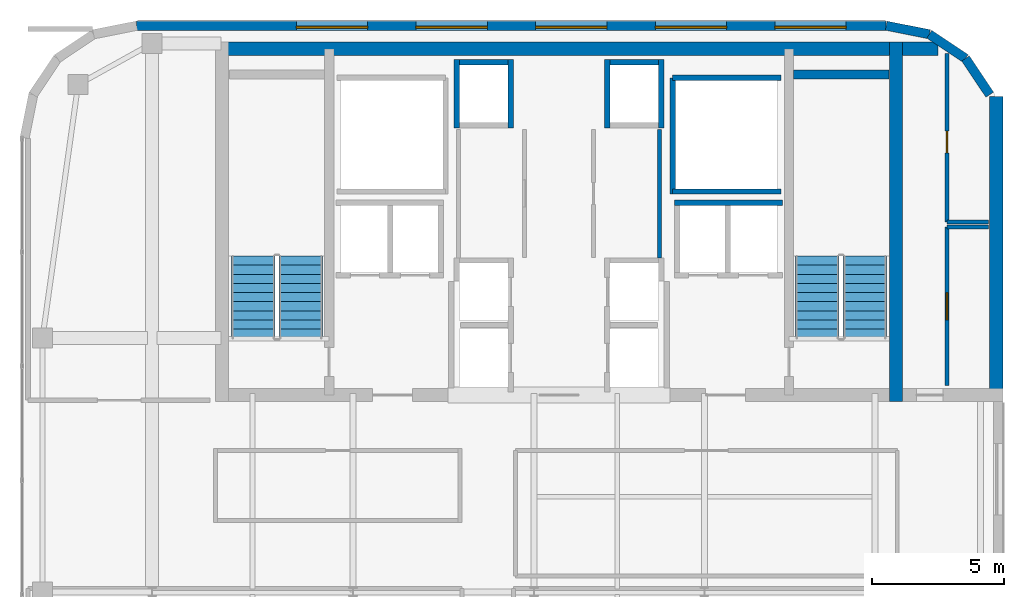
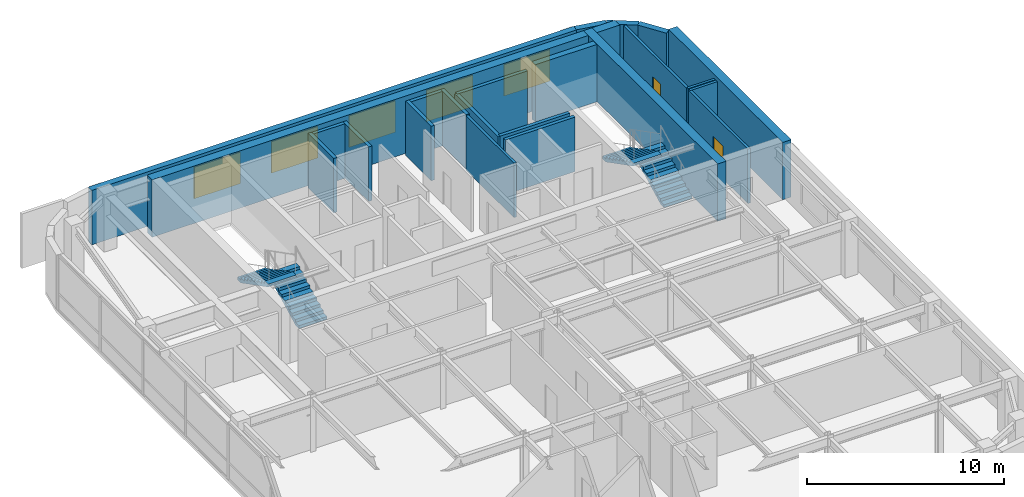
# One storey, part 17 of 21: 24 walls, 5 windows, 4 stair flights, 2 doors, 7 openings, 2 elements without a shape of their own.
"""IFC4 building model written with IfcOpenShell, lengths in metres."""

from ifc_helpers import new_model, si_unit, direction, frame, frame_2d, origin, place, context, subcontext, project, spatial, polyline, rectangle, outline, extrude, source, transform, mapped, material, layer, layer_set, type_object, type_shapes, element, fill, aggregate, save


model = new_model("IFC4")

# Units and contexts
model_context = context("Model", 3, precision=1e-05, world=origin(), true_north=direction((0.0, 1.0)))
body_context = subcontext(model_context, "Body", "Model", "MODEL_VIEW")
ifc_project = project(units=[si_unit("LENGTHUNIT", "METRE"), si_unit("AREAUNIT", "SQUARE_METRE"), si_unit("VOLUMEUNIT", "CUBIC_METRE"), si_unit("PLANEANGLEUNIT", "RADIAN"), si_unit("MASSUNIT", "GRAM", prefix="KILO")], contexts=[model_context])

# Site, building, storey
site_placement = place(None, origin())
site = spatial("IfcSite", under=ifc_project, at=site_placement, CompositionType="ELEMENT")
building_placement = place(site_placement, origin())
building = spatial("IfcBuilding", under=site, at=building_placement, Name="Tolvann Quenvar Hotel", CompositionType="ELEMENT")
storey_placement = place(building_placement, frame((0.0, 0.0, 227.449951171875)))
storey = spatial("IfcBuildingStorey", under=building, at=storey_placement, Name="L60", CompositionType="ELEMENT", Elevation=227.449951171875)

# Walls
ifc_material_1 = material(Name="Concrete N50 (50 MPa)", Category="concrete")
ifc_layer_1 = layer(ifc_material_1, 0.5)
ifc_layer_set_1 = layer_set([ifc_layer_1], Name="Concrete N50 (50 MPa)")
wall_type_1 = type_object("IfcWallType", Name="WALL_CORE_500", PredefinedType="SHEAR", material=ifc_layer_set_1)
wall_1_placement = place(storey_placement, frame((10.0, 44.949951171875, 0.0), z_axis=(0.0, 0.0, 1.0), x_axis=(1.0, 0.0, 0.0)))
element("IfcWall", 1, at=wall_1_placement, inside=storey, type_object=wall_type_1, Name="Rear Core N Shear Wall (L60)", PredefinedType="SHEAR", context=body_context, shape_type="SweptSolid", body=[
    extrude(rectangle(XDim=26.0, YDim=0.5, at=frame_2d((13.0, 0.0))), origin(), (0.0, 0.0, 1.0), 3.550048828125),
])
wall_2_placement = place(storey_placement, frame((35.75, 31.60009765625, 0.0), z_axis=(0.0, 0.0, 1.0), x_axis=(0.0, 1.0, 0.0)))
element("IfcWall", 2, at=wall_2_placement, inside=storey, type_object=wall_type_1, Name="Rear Core E Shear Wall (L60)", PredefinedType="SHEAR", context=body_context, shape_type="SweptSolid", body=[
    extrude(rectangle(XDim=13.599853515625, YDim=0.5, at=frame_2d((6.7998046875, 0.0))), origin(), (0.0, 0.0, 1.0), 3.550048828125),
])
wall_3_placement = place(storey_placement, frame((36.0, 44.949951171875, 0.0), z_axis=(0.0, 0.0, 1.0), x_axis=(1.0, 0.0, 0.0)))
element("IfcWall", 3, at=wall_3_placement, inside=storey, type_object=wall_type_1, Name="Core East Annex Shear Wall ANN-N (L60)", PredefinedType="SHEAR", context=body_context, shape_type="SweptSolid", body=[
    extrude(rectangle(XDim=1.35009765625, YDim=0.5, at=frame_2d((0.675048828125, 0.0))), origin(), (0.0, 0.0, 1.0), 3.550048828125),
])
wall_4_placement = place(storey_placement, frame((39.550048828125, 31.60009765625, 0.0), z_axis=(0.0, 0.0, 1.0), x_axis=(0.0, 1.0, 0.0)))
element("IfcWall", 4, at=wall_4_placement, inside=storey, type_object=wall_type_1, Name="Core East Annex Shear Wall ANN-E (L60)", PredefinedType="SHEAR", context=body_context, shape_type="SweptSolid", body=[
    extrude(rectangle(XDim=11.5498046875, YDim=0.5, at=frame_2d((5.77490234375, 0.0))), origin(), (0.0, 0.0, 1.0), 3.550048828125),
])
ifc_material_2 = material(Name="Concrete S65 (65 MPa)", Category="concrete")
ifc_layer_2 = layer(ifc_material_2, 0.35009765625)
ifc_layer_set_2 = layer_set([ifc_layer_2], Name="Concrete S65 (65 MPa)")
wall_type_2 = type_object("IfcWallType", Name="WALL_CORE_INT_350", PredefinedType="SHEAR", material=ifc_layer_set_2)
wall_5_placement = place(storey_placement, frame((31.8798828125, 43.97509765625, 0.0), z_axis=(0.0, 0.0, 1.0), x_axis=(1.0, 0.0, 0.0)))
element("IfcWall", 5, at=wall_5_placement, inside=storey, type_object=wall_type_2, Name="Core Stair North Closing Shear Wall STC2-N (L60)", PredefinedType="SHEAR", context=body_context, shape_type="SweptSolid", body=[
    extrude(rectangle(XDim=3.60009765625, YDim=0.35009765625, at=frame_2d((1.800048828125, 0.0))), origin(), (0.0, 0.0, 1.0), 3.550048828125),
])
ifc_material_3 = material(Name="Kiln-fired red and buff architectural clay brickwork and terracotta masonry", Category="masonry")
ifc_layer_3 = layer(ifc_material_3, 0.35009765625)
ifc_layer_set_3 = layer_set([ifc_layer_3], Name="Kiln-fired red and buff architectural clay brickwork and terracotta masonry")
wall_type_3 = type_object("IfcWallType", Name="WALL_EXT_BRICK_350", PredefinedType="SOLIDWALL", material=ifc_layer_set_3)
for number, where, z_axis, x_axis, name in (
    (6, (39.30029296875, 43.215576171875, 0.0), (0.0, 0.0, 1.0), (-0.555623290322, 0.831434158098, 0.0), "Exterior Chicago Brick Wall L60-E11"),
    (7, (38.385009765625, 44.585205078125, 0.0), (0.0, 0.0, 1.0), (-0.831502623162, 0.555520825599, 0.0), "Exterior Chicago Brick Wall L60-E12"),
):
    element("IfcWall", number, at=place(storey_placement, frame(where, z_axis=z_axis, x_axis=x_axis)), inside=storey, type_object=wall_type_3, Name=name, PredefinedType="SOLIDWALL", context=body_context, shape_type="SweptSolid", body=[
        extrude(rectangle(XDim=1.647216796875, YDim=0.35009765625, at=frame_2d((0.82373046875, 0.0))), origin(), (0.0, 0.0, 1.0), 3.3701171875),
    ])
wall_6_placement = place(storey_placement, frame((37.015380859375, 45.500244140625, 0.0), z_axis=(0.0, 0.0, 1.0), x_axis=(-0.980788844421, 0.195072403631, 0.0)))
element("IfcWall", 8, at=wall_6_placement, inside=storey, type_object=wall_type_3, Name="Exterior Chicago Brick Wall L60-E13", PredefinedType="SOLIDWALL", context=body_context, shape_type="SweptSolid", body=[
    extrude(rectangle(XDim=1.66455078125, YDim=0.35009765625, at=frame_2d((0.832275390625, 0.0))), origin(), (0.0, 0.0, 1.0), 3.3701171875),
])

# Wall, openings, windows
wall_7_placement = place(storey_placement, frame((35.3828125, 45.824951171875, 0.0), z_axis=(0.0, 0.0, 1.0), x_axis=(-1.0, 0.0, 0.0)))
wall_7 = element("IfcWall", 9, at=wall_7_placement, inside=storey, type_object=wall_type_3, Name="Exterior Chicago Brick Wall L60-E14", PredefinedType="SOLIDWALL", context=body_context, shape_type="SweptSolid", body=[
    extrude(rectangle(XDim=28.36572265625, YDim=0.35009765625, at=frame_2d((14.182861328125, 0.0))), origin(), (0.0, 0.0, 1.0), 3.3701171875),
])
opening_1_placement = place(wall_7_placement, frame((1.513916015625, 0.0, 0.679931640625)))
opening_1 = element("IfcOpeningElement", 10, at=opening_1_placement, cuts=wall_7, Name="Opening W-04", PredefinedType="OPENING", context=body_context, shape_type="SweptSolid", body=[
    extrude(rectangle(XDim=2.699951171875, YDim=1.949951171875, at=frame_2d((1.35009765625, 0.97509765625))), frame((0.0, 0.18505859375, 0.0), z_axis=(0.0, -1.0, 0.0), x_axis=(1.0, 0.0, 0.0)), (0.0, 0.0, 1.0), 0.3701171875),
])
opening_2_placement = place(wall_7_placement, frame((6.041015625, 0.0, 0.679931640625)))
opening_2 = element("IfcOpeningElement", 11, at=opening_2_placement, cuts=wall_7, Name="Opening W-04", PredefinedType="OPENING", context=body_context, shape_type="SweptSolid", body=[
    extrude(rectangle(XDim=2.699951171875, YDim=1.949951171875, at=frame_2d((1.35009765625, 0.97509765625))), frame((0.0, 0.18505859375, 0.0), z_axis=(0.0, -1.0, 0.0), x_axis=(1.0, 0.0, 0.0)), (0.0, 0.0, 1.0), 0.3701171875),
])
opening_3_placement = place(wall_7_placement, frame((10.569091796875, 0.0, 0.679931640625)))
opening_3 = element("IfcOpeningElement", 12, at=opening_3_placement, cuts=wall_7, Name="Opening W-04", PredefinedType="OPENING", context=body_context, shape_type="SweptSolid", body=[
    extrude(rectangle(XDim=2.699951171875, YDim=1.949951171875, at=frame_2d((1.35009765625, 0.97509765625))), frame((0.0, 0.18505859375, 0.0), z_axis=(0.0, -1.0, 0.0), x_axis=(1.0, 0.0, 0.0)), (0.0, 0.0, 1.0), 0.3701171875),
])
opening_4_placement = place(wall_7_placement, frame((15.096923828125, 0.0, 0.679931640625)))
opening_4 = element("IfcOpeningElement", 13, at=opening_4_placement, cuts=wall_7, Name="Opening W-04", PredefinedType="OPENING", context=body_context, shape_type="SweptSolid", body=[
    extrude(rectangle(XDim=2.699951171875, YDim=1.949951171875, at=frame_2d((1.35009765625, 0.97509765625))), frame((0.0, 0.18505859375, 0.0), z_axis=(0.0, -1.0, 0.0), x_axis=(1.0, 0.0, 0.0)), (0.0, 0.0, 1.0), 0.3701171875),
])
opening_5_placement = place(wall_7_placement, frame((19.6240234375, 0.0, 0.679931640625)))
opening_5 = element("IfcOpeningElement", 14, at=opening_5_placement, cuts=wall_7, Name="Opening W-04", PredefinedType="OPENING", context=body_context, shape_type="SweptSolid", body=[
    extrude(rectangle(XDim=2.699951171875, YDim=1.949951171875, at=frame_2d((1.35009765625, 0.97509765625))), frame((0.0, 0.18505859375, 0.0), z_axis=(0.0, -1.0, 0.0), x_axis=(1.0, 0.0, 0.0)), (0.0, 0.0, 1.0), 0.3701171875),
])
ifc_material_4 = material(Name="Thermally broken bronze-anodised aluminium frame with double low-E glazing", Category="aluminium")
window_type = type_object("IfcWindowType", Name="WIN_STE_2700x2150", PartitioningType="TRIPLE_PANEL_HORIZONTAL", PredefinedType="WINDOW", material=ifc_material_4)
shared_shape_1 = source(origin(), body_context, "Body", "SweptSolid", [
    extrude(rectangle(XDim=2.699951171875, YDim=1.949951171875, at=frame_2d((1.35009765625, 0.97509765625))), frame((0.0, 0.090087890625, 0.0), z_axis=(0.0, -1.0, 0.0), x_axis=(1.0, 0.0, 0.0)), (0.0, 0.0, 1.0), 0.06005859375),
])
type_shapes(window_type, [shared_shape_1])
window_1_placement = place(opening_1_placement, origin())
window_1 = element("IfcWindow", 15, at=window_1_placement, inside=storey, type_object=window_type, Name="Chicago Window W-04 (EW-L60-E14-W01)", OverallHeight=1.949951171875, OverallWidth=2.699951171875, PartitioningType="TRIPLE_PANEL_HORIZONTAL", PredefinedType="WINDOW", context=body_context, shape_type="MappedRepresentation", body=[
    mapped(shared_shape_1, transform((0.0, 0.0, 0.0), x_axis=(1.0, 0.0, 0.0), y_axis=(0.0, 1.0, 0.0), z_axis=(0.0, 0.0, 1.0), scale=1.0)),
])
fill(opening_1, window_1)
window_2_placement = place(opening_2_placement, origin())
window_2 = element("IfcWindow", 16, at=window_2_placement, inside=storey, type_object=window_type, Name="Chicago Window W-04 (EW-L60-E14-W02)", OverallHeight=1.949951171875, OverallWidth=2.699951171875, PartitioningType="TRIPLE_PANEL_HORIZONTAL", PredefinedType="WINDOW", context=body_context, shape_type="MappedRepresentation", body=[
    mapped(shared_shape_1, transform((0.0, 0.0, 0.0), x_axis=(1.0, 0.0, 0.0), y_axis=(0.0, 1.0, 0.0), z_axis=(0.0, 0.0, 1.0), scale=1.0)),
])
fill(opening_2, window_2)
window_3_placement = place(opening_3_placement, origin())
window_3 = element("IfcWindow", 17, at=window_3_placement, inside=storey, type_object=window_type, Name="Chicago Window W-04 (EW-L60-E14-W03)", OverallHeight=1.949951171875, OverallWidth=2.699951171875, PartitioningType="TRIPLE_PANEL_HORIZONTAL", PredefinedType="WINDOW", context=body_context, shape_type="MappedRepresentation", body=[
    mapped(shared_shape_1, transform((0.0, 0.0, 0.0), x_axis=(1.0, 0.0, 0.0), y_axis=(0.0, 1.0, 0.0), z_axis=(0.0, 0.0, 1.0), scale=1.0)),
])
fill(opening_3, window_3)
window_4_placement = place(opening_4_placement, origin())
window_4 = element("IfcWindow", 18, at=window_4_placement, inside=storey, type_object=window_type, Name="Chicago Window W-04 (EW-L60-E14-W04)", OverallHeight=1.949951171875, OverallWidth=2.699951171875, PartitioningType="TRIPLE_PANEL_HORIZONTAL", PredefinedType="WINDOW", context=body_context, shape_type="MappedRepresentation", body=[
    mapped(shared_shape_1, transform((0.0, 0.0, 0.0), x_axis=(1.0, 0.0, 0.0), y_axis=(0.0, 1.0, 0.0), z_axis=(0.0, 0.0, 1.0), scale=1.0)),
])
fill(opening_4, window_4)
window_5_placement = place(opening_5_placement, origin())
window_5 = element("IfcWindow", 19, at=window_5_placement, inside=storey, type_object=window_type, Name="Chicago Window W-04 (EW-L60-E14-W05)", OverallHeight=1.949951171875, OverallWidth=2.699951171875, PartitioningType="TRIPLE_PANEL_HORIZONTAL", PredefinedType="WINDOW", context=body_context, shape_type="MappedRepresentation", body=[
    mapped(shared_shape_1, transform((0.0, 0.0, 0.0), x_axis=(1.0, 0.0, 0.0), y_axis=(0.0, 1.0, 0.0), z_axis=(0.0, 0.0, 1.0), scale=1.0)),
])
fill(opening_5, window_5)

# Walls
ifc_material_5 = material(Name="Acoustic twin-stud fire-rated gypsum plasterboard partition")
ifc_layer_4 = layer(ifc_material_5, 0.14990234375)
ifc_layer_set_4 = layer_set([ifc_layer_4], Name="Acoustic twin-stud fire-rated gypsum plasterboard partition")
wall_type_4 = type_object("IfcWallType", Name="WALL_PART_SUITE_150", PredefinedType="PARTITIONING", material=ifc_layer_set_4)
wall_8_placement = place(storey_placement, frame((26.800048828125, 37.0400390625, 0.0), z_axis=(0.0, 0.0, 1.0), x_axis=(0.0, 1.0, 0.0)))
element("IfcWall", 20, at=wall_8_placement, inside=storey, type_object=wall_type_4, Name="Interior Partition PT-SPC-L60-RECPM-2-E", PredefinedType="PARTITIONING", context=body_context, shape_type="SweptSolid", body=[
    extrude(rectangle(XDim=4.85986328125, YDim=0.14990234375, at=frame_2d((2.429931640625, 0.0))), origin(), (0.0, 0.0, 1.0), 3.3701171875),
])
wall_9_placement = place(storey_placement, frame((37.679931640625, 38.199951171875, 0.0), z_axis=(0.0, 0.0, 1.0), x_axis=(1.0, 0.0, 0.0)))
element("IfcWall", 21, at=wall_9_placement, inside=storey, type_object=wall_type_4, Name="Interior Partition PT-SPC-L60-RECPL-1-N", PredefinedType="PARTITIONING", context=body_context, shape_type="SweptSolid", body=[
    extrude(rectangle(XDim=1.565185546875, YDim=0.14990234375, at=frame_2d((0.78271484375, 0.0))), origin(), (0.0, 0.0, 1.0), 3.3701171875),
])

# Wall, opening, door
wall_10_placement = place(storey_placement, frame((37.679931640625, 32.199951171875, 0.0), z_axis=(0.0, 0.0, 1.0), x_axis=(0.0, 1.0, 0.0)))
wall_10 = element("IfcWall", 22, at=wall_10_placement, inside=storey, type_object=wall_type_4, Name="Interior Partition PT-SPC-L60-RECPL-1-W", PredefinedType="PARTITIONING", context=body_context, shape_type="SweptSolid", body=[
    extrude(rectangle(XDim=6.0, YDim=0.14990234375, at=frame_2d((3.0, 0.0))), origin(), (0.0, 0.0, 1.0), 3.3701171875),
])
opening_6_placement = place(wall_10_placement, frame((2.489990234375, 0.0, 0.0)))
opening_6 = element("IfcOpeningElement", 23, at=opening_6_placement, cuts=wall_10, Name="Opening HD-01", PredefinedType="OPENING", context=body_context, shape_type="SweptSolid", body=[
    extrude(rectangle(XDim=1.02001953125, YDim=2.030029296875, at=frame_2d((0.510009765625, 1.01513671875))), frame((0.0, 0.0849609375, 0.0), z_axis=(0.0, -1.0, 0.0), x_axis=(1.0, 0.0, 0.0)), (0.0, 0.0, 1.0), 0.169921875),
])
ifc_material_6 = material(Name="Pressed galvanised steel fire-rated door set", Category="steel")
door_type_1 = type_object("IfcDoorType", Name="DOOR_BOH_1020", OperationType="NOTDEFINED", PredefinedType="DOOR", material=ifc_material_6)
shared_shape_2 = source(origin(), body_context, "Body", "SweptSolid", [
    extrude(rectangle(XDim=1.02001953125, YDim=2.030029296875, at=frame_2d((0.510009765625, 1.01513671875))), frame((0.0, 0.02490234375, 0.0), z_axis=(0.0, -1.0, 0.0), x_axis=(1.0, 0.0, 0.0)), (0.0, 0.0, 1.0), 0.050048828125),
])
type_shapes(door_type_1, [shared_shape_2])
door_1_placement = place(opening_6_placement, origin())
door_1 = element("IfcDoor", 24, at=door_1_placement, inside=storey, type_object=door_type_1, Name="Interior Door DOOR-SPC-L60-RECPL-1", OperationType="SINGLE_SWING_RIGHT", OverallHeight=2.030029296875, OverallWidth=1.02001953125, PredefinedType="DOOR", context=body_context, shape_type="MappedRepresentation", body=[
    mapped(shared_shape_2, transform((0.0, 0.0, 0.0), x_axis=(1.0, 0.0, 0.0), y_axis=(0.0, 1.0, 0.0), z_axis=(0.0, 0.0, 1.0), scale=1.0)),
])
fill(opening_6, door_1)

# Wall
wall_11_placement = place(storey_placement, frame((37.679931640625, 38.39990234375, 0.0), z_axis=(0.0, 0.0, 1.0), x_axis=(1.0, 0.0, 0.0)))
element("IfcWall", 25, at=wall_11_placement, inside=storey, type_object=wall_type_4, Name="Interior Partition PT-SPC-L60-CSE-1-S", PredefinedType="PARTITIONING", context=body_context, shape_type="SweptSolid", body=[
    extrude(rectangle(XDim=1.565185546875, YDim=0.14990234375, at=frame_2d((0.78271484375, 0.0))), origin(), (0.0, 0.0, 1.0), 3.3701171875),
])

# Wall, opening, door
wall_12_placement = place(storey_placement, frame((37.679931640625, 38.39990234375, 0.0), z_axis=(0.0, 0.0, 1.0), x_axis=(0.0, 1.0, 0.0)))
wall_12 = element("IfcWall", 26, at=wall_12_placement, inside=storey, type_object=wall_type_4, Name="Interior Partition PT-SPC-L60-CSE-1-W", PredefinedType="PARTITIONING", context=body_context, shape_type="SweptSolid", body=[
    extrude(rectangle(XDim=6.380126953125, YDim=0.14990234375, at=frame_2d((3.18994140625, 0.0))), origin(), (0.0, 0.0, 1.0), 3.3701171875),
])
opening_7_placement = place(wall_12_placement, frame((2.614990234375, 0.0, 0.0)))
opening_7 = element("IfcOpeningElement", 27, at=opening_7_placement, cuts=wall_12, Name="Opening HD-02", PredefinedType="OPENING", context=body_context, shape_type="SweptSolid", body=[
    extrude(rectangle(XDim=0.820068359375, YDim=2.010009765625, at=frame_2d((0.41015625, 1.0048828125))), frame((0.0, 0.0849609375, 0.0), z_axis=(0.0, -1.0, 0.0), x_axis=(1.0, 0.0, 0.0)), (0.0, 0.0, 1.0), 0.169921875),
])
door_type_2 = type_object("IfcDoorType", Name="DOOR_STORE_820", OperationType="NOTDEFINED", PredefinedType="DOOR", material=ifc_material_6)
shared_shape_3 = source(origin(), body_context, "Body", "SweptSolid", [
    extrude(rectangle(XDim=0.820068359375, YDim=2.010009765625, at=frame_2d((0.41015625, 1.0048828125))), frame((0.0, 0.02490234375, 0.0), z_axis=(0.0, -1.0, 0.0), x_axis=(1.0, 0.0, 0.0)), (0.0, 0.0, 1.0), 0.050048828125),
])
type_shapes(door_type_2, [shared_shape_3])
door_2_placement = place(opening_7_placement, origin())
door_2 = element("IfcDoor", 28, at=door_2_placement, inside=storey, type_object=door_type_2, Name="Interior Door DOOR-SPC-L60-CSE-1", OperationType="SINGLE_SWING_LEFT", OverallHeight=2.010009765625, OverallWidth=0.820068359375, PredefinedType="DOOR", context=body_context, shape_type="MappedRepresentation", body=[
    mapped(shared_shape_3, transform((0.0, 0.0, 0.0), x_axis=(1.0, 0.0, 0.0), y_axis=(0.0, 1.0, 0.0), z_axis=(0.0, 0.0, 1.0), scale=1.0)),
])
fill(opening_7, door_2)

# Walls
ifc_material_7 = material(Name="Concrete N40 (40 MPa)", Category="concrete")
ifc_layer_5 = layer(ifc_material_7, 0.199951171875)
ifc_layer_set_5 = layer_set([ifc_layer_5], Name="Concrete N40 (40 MPa)")
wall_type_5 = type_object("IfcWallType", Name="WALL_SHAFT_200", PredefinedType="SOLIDWALL", material=ifc_layer_set_5)
wall_13_placement = place(storey_placement, frame((27.300048828125, 39.449951171875, 0.0), z_axis=(0.0, 0.0, 1.0), x_axis=(0.0, 1.0, 0.0)))
element("IfcWall", 29, at=wall_13_placement, inside=storey, type_object=wall_type_5, Name="Service Riser E Shaft Wall IN (L60)", PredefinedType="SOLIDWALL", context=body_context, shape_type="SweptSolid", body=[
    extrude(rectangle(XDim=4.400146484375, YDim=0.199951171875, at=frame_2d((2.2001953125, 0.0))), origin(), (0.0, 0.0, 1.0), 3.3701171875),
])
for number, where, z_axis, x_axis, name in (
    (30, (27.300048828125, 39.550048828125, 0.0), (0.0, 0.0, 1.0), (1.0, 0.0, 0.0), "Service Riser E Shaft Wall S (L60)"),
    (31, (27.300048828125, 43.85009765625, 0.0), (0.0, 0.0, 1.0), (1.0, 0.0, 0.0), "Service Riser E Shaft Wall N (L60)"),
):
    element("IfcWall", number, at=place(storey_placement, frame(where, z_axis=z_axis, x_axis=x_axis)), inside=storey, type_object=wall_type_5, Name=name, PredefinedType="SOLIDWALL", context=body_context, shape_type="SweptSolid", body=[
        extrude(rectangle(XDim=4.099853515625, YDim=0.199951171875, at=frame_2d((2.0498046875, 0.0))), origin(), (0.0, 0.0, 1.0), 3.3701171875),
    ])
for number, where, z_axis, x_axis, name in (
    (32, (21.169921875, 41.9599609375, 0.0), (0.0, 0.0, 1.0), (0.0, 1.0, 0.0), "Lift Bank E21.1C2 Hoistway Front Wall (L60)"),
    (33, (19.1298828125, 41.9599609375, 0.0), (0.0, 0.0, 1.0), (0.0, 1.0, 0.0), "Lift Bank E21.1C2 Hoistway Rear Wall (L60)"),
):
    element("IfcWall", number, at=place(storey_placement, frame(where, z_axis=z_axis, x_axis=x_axis)), inside=storey, type_object=wall_type_5, Name=name, PredefinedType="SOLIDWALL", context=body_context, shape_type="SweptSolid", body=[
        extrude(rectangle(XDim=2.580078125, YDim=0.199951171875, at=frame_2d((1.2900390625, 0.0))), origin(), (0.0, 0.0, 1.0), 3.3701171875),
    ])
wall_14_placement = place(storey_placement, frame((19.22998046875, 44.43994140625, 0.0), z_axis=(0.0, 0.0, 1.0), x_axis=(1.0, 0.0, 0.0)))
element("IfcWall", 34, at=wall_14_placement, inside=storey, type_object=wall_type_5, Name="Lift Bank E21.1C2 Hoistway Cheek Wall 2 (L60)", PredefinedType="SOLIDWALL", context=body_context, shape_type="SweptSolid", body=[
    extrude(rectangle(XDim=1.840087890625, YDim=0.199951171875, at=frame_2d((0.919921875, 0.0))), origin(), (0.0, 0.0, 1.0), 3.3701171875),
])
wall_15_placement = place(storey_placement, frame((27.375, 39.1201171875, 0.0), z_axis=(0.0, 0.0, 1.0), x_axis=(1.0, 0.0, 0.0)))
element("IfcWall", 35, at=wall_15_placement, inside=storey, type_object=wall_type_5, Name="Lift Bank SEC1 Hoistway Rear Wall (L60)", PredefinedType="SOLIDWALL", context=body_context, shape_type="SweptSolid", body=[
    extrude(rectangle(XDim=4.074951171875, YDim=0.199951171875, at=frame_2d((2.03759765625, 0.0))), origin(), (0.0, 0.0, 1.0), 3.3701171875),
])
for number, where, z_axis, x_axis, name in (
    (36, (24.830078125, 41.9599609375, 0.0), (0.0, 0.0, 1.0), (0.0, 1.0, 0.0), "Lift Bank W24.9C2 Hoistway Front Wall (L60)"),
    (37, (26.8701171875, 41.9599609375, 0.0), (0.0, 0.0, 1.0), (0.0, 1.0, 0.0), "Lift Bank W24.9C2 Hoistway Rear Wall (L60)"),
):
    element("IfcWall", number, at=place(storey_placement, frame(where, z_axis=z_axis, x_axis=x_axis)), inside=storey, type_object=wall_type_5, Name=name, PredefinedType="SOLIDWALL", context=body_context, shape_type="SweptSolid", body=[
        extrude(rectangle(XDim=2.580078125, YDim=0.199951171875, at=frame_2d((1.2900390625, 0.0))), origin(), (0.0, 0.0, 1.0), 3.3701171875),
    ])
wall_16_placement = place(storey_placement, frame((24.929931640625, 44.43994140625, 0.0), z_axis=(0.0, 0.0, 1.0), x_axis=(1.0, 0.0, 0.0)))
element("IfcWall", 38, at=wall_16_placement, inside=storey, type_object=wall_type_5, Name="Lift Bank W24.9C2 Hoistway Cheek Wall 2 (L60)", PredefinedType="SOLIDWALL", context=body_context, shape_type="SweptSolid", body=[
    extrude(rectangle(XDim=1.840087890625, YDim=0.199951171875, at=frame_2d((0.919921875, 0.0))), origin(), (0.0, 0.0, 1.0), 3.3701171875),
])

# Stair, stair flights
stair_type = type_object("IfcStairType", Name="STAIR", PredefinedType="HALF_TURN_STAIR", material=ifc_material_7)
stair_1_placement = place(storey_placement, origin())
stair_1 = element("IfcStair", 39, at=stair_1_placement, inside=storey, type_object=stair_type, Name="L60 ST-C1", PredefinedType="HALF_TURN_STAIR")
stair_flight_type = type_object("IfcStairFlightType", Name="STAIR_FLIGHT", PredefinedType="STRAIGHT", material=ifc_material_7)
stair_flight_1_placement = place(storey_placement, frame((13.22509765625, 34.0, 0.0), z_axis=(0.0, 0.0, 1.0), x_axis=(0.0, 1.0, 0.0)))
stair_flight_1 = element("IfcStairFlight", 40, at=stair_flight_1_placement, type_object=stair_flight_type, Name="ST-C1 flight 1", NumberOfRisers=10, NumberOfTreads=9, PredefinedType="STRAIGHT", RiserHeight=0.1775, TreadLength=0.345, context=body_context, shape_type="SweptSolid", body=[
    extrude(outline(polyline([(0.0, 0.0), (0.0, 0.177490234375), (0.344970703125, 0.177490234375), (0.344970703125, 0.35498046875), (0.68994140625, 0.35498046875), (0.68994140625, 0.532470703125), (1.034912109375, 0.532470703125), (1.034912109375, 0.7099609375), (1.3798828125, 0.7099609375), (1.3798828125, 0.887451171875), (1.72509765625, 0.887451171875), (1.72509765625, 1.06494140625), (2.070068359375, 1.06494140625), (2.070068359375, 1.242431640625), (2.4150390625, 1.242431640625), (2.4150390625, 1.419921875), (2.760009765625, 1.419921875), (2.760009765625, 1.597412109375), (3.10498046875, 1.597412109375), (3.10498046875, 1.77490234375), (3.10498046875, 1.428955078125), (0.32763671875, 0.0), (0.0, 0.0)])), frame((0.0, 0.824951171875, 0.0), z_axis=(0.0, -1.0, 0.0), x_axis=(1.0, 0.0, 0.0)), (0.0, 0.0, 1.0), 1.64990234375),
])
stair_flight_2_placement = place(storey_placement, frame((11.425048828125, 37.10498046875, 1.775146484375), z_axis=(0.0, 0.0, 1.0), x_axis=(0.0, -1.0, 0.0)))
stair_flight_2 = element("IfcStairFlight", 41, at=stair_flight_2_placement, type_object=stair_flight_type, Name="ST-C1 flight 2", NumberOfRisers=10, NumberOfTreads=9, PredefinedType="STRAIGHT", RiserHeight=0.1775, TreadLength=0.345, context=body_context, shape_type="SweptSolid", body=[
    extrude(outline(polyline([(0.0, 0.0), (0.0, 0.177490234375), (0.344970703125, 0.177490234375), (0.344970703125, 0.35498046875), (0.68994140625, 0.35498046875), (0.68994140625, 0.532470703125), (1.034912109375, 0.532470703125), (1.034912109375, 0.7099609375), (1.3798828125, 0.7099609375), (1.3798828125, 0.887451171875), (1.72509765625, 0.887451171875), (1.72509765625, 1.06494140625), (2.070068359375, 1.06494140625), (2.070068359375, 1.242431640625), (2.4150390625, 1.242431640625), (2.4150390625, 1.419921875), (2.760009765625, 1.419921875), (2.760009765625, 1.597412109375), (3.10498046875, 1.597412109375), (3.10498046875, 1.77490234375), (3.10498046875, 1.428955078125), (0.32763671875, 0.0), (0.0, 0.0)])), frame((0.0, 0.824951171875, 0.0), z_axis=(0.0, -1.0, 0.0), x_axis=(1.0, 0.0, 0.0)), (0.0, 0.0, 1.0), 1.64990234375),
])
aggregate(stair_1, [stair_flight_1, stair_flight_2])

stair_2_placement = place(storey_placement, origin())
stair_2 = element("IfcStair", 42, at=stair_2_placement, inside=storey, type_object=stair_type, Name="L60 ST-C2", PredefinedType="HALF_TURN_STAIR")
stair_flight_3_placement = place(storey_placement, frame((34.574951171875, 34.0, 0.0), z_axis=(0.0, 0.0, 1.0), x_axis=(0.0, 1.0, 0.0)))
stair_flight_3 = element("IfcStairFlight", 43, at=stair_flight_3_placement, type_object=stair_flight_type, Name="ST-C2 flight 1", NumberOfRisers=10, NumberOfTreads=9, PredefinedType="STRAIGHT", RiserHeight=0.1775, TreadLength=0.345, context=body_context, shape_type="SweptSolid", body=[
    extrude(outline(polyline([(0.0, 0.0), (0.0, 0.177490234375), (0.344970703125, 0.177490234375), (0.344970703125, 0.35498046875), (0.68994140625, 0.35498046875), (0.68994140625, 0.532470703125), (1.034912109375, 0.532470703125), (1.034912109375, 0.7099609375), (1.3798828125, 0.7099609375), (1.3798828125, 0.887451171875), (1.72509765625, 0.887451171875), (1.72509765625, 1.06494140625), (2.070068359375, 1.06494140625), (2.070068359375, 1.242431640625), (2.4150390625, 1.242431640625), (2.4150390625, 1.419921875), (2.760009765625, 1.419921875), (2.760009765625, 1.597412109375), (3.10498046875, 1.597412109375), (3.10498046875, 1.77490234375), (3.10498046875, 1.428955078125), (0.32763671875, 0.0), (0.0, 0.0)])), frame((0.0, 0.824951171875, 0.0), z_axis=(0.0, -1.0, 0.0), x_axis=(1.0, 0.0, 0.0)), (0.0, 0.0, 1.0), 1.64990234375),
])
stair_flight_4_placement = place(storey_placement, frame((32.77490234375, 37.10498046875, 1.775146484375), z_axis=(0.0, 0.0, 1.0), x_axis=(0.0, -1.0, 0.0)))
stair_flight_4 = element("IfcStairFlight", 44, at=stair_flight_4_placement, type_object=stair_flight_type, Name="ST-C2 flight 2", NumberOfRisers=10, NumberOfTreads=9, PredefinedType="STRAIGHT", RiserHeight=0.1775, TreadLength=0.345, context=body_context, shape_type="SweptSolid", body=[
    extrude(outline(polyline([(0.0, 0.0), (0.0, 0.177490234375), (0.344970703125, 0.177490234375), (0.344970703125, 0.35498046875), (0.68994140625, 0.35498046875), (0.68994140625, 0.532470703125), (1.034912109375, 0.532470703125), (1.034912109375, 0.7099609375), (1.3798828125, 0.7099609375), (1.3798828125, 0.887451171875), (1.72509765625, 0.887451171875), (1.72509765625, 1.06494140625), (2.070068359375, 1.06494140625), (2.070068359375, 1.242431640625), (2.4150390625, 1.242431640625), (2.4150390625, 1.419921875), (2.760009765625, 1.419921875), (2.760009765625, 1.597412109375), (3.10498046875, 1.597412109375), (3.10498046875, 1.77490234375), (3.10498046875, 1.428955078125), (0.32763671875, 0.0), (0.0, 0.0)])), frame((0.0, 0.824951171875, 0.0), z_axis=(0.0, -1.0, 0.0), x_axis=(1.0, 0.0, 0.0)), (0.0, 0.0, 1.0), 1.64990234375),
])
aggregate(stair_2, [stair_flight_3, stair_flight_4])

save(model, "model.ifc")
